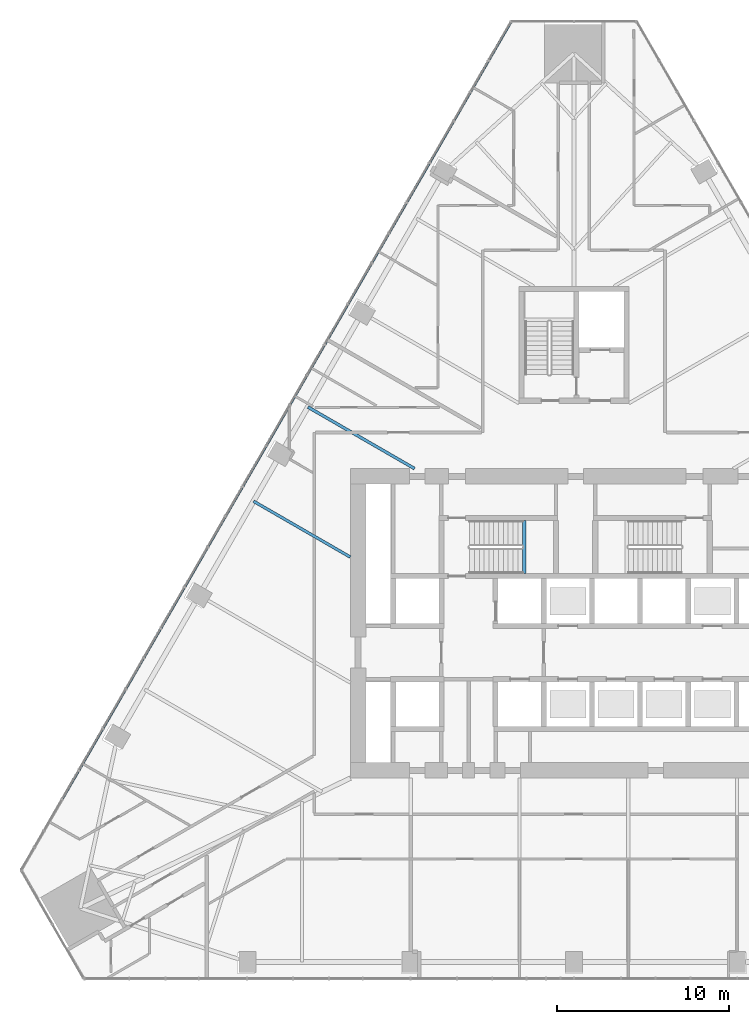
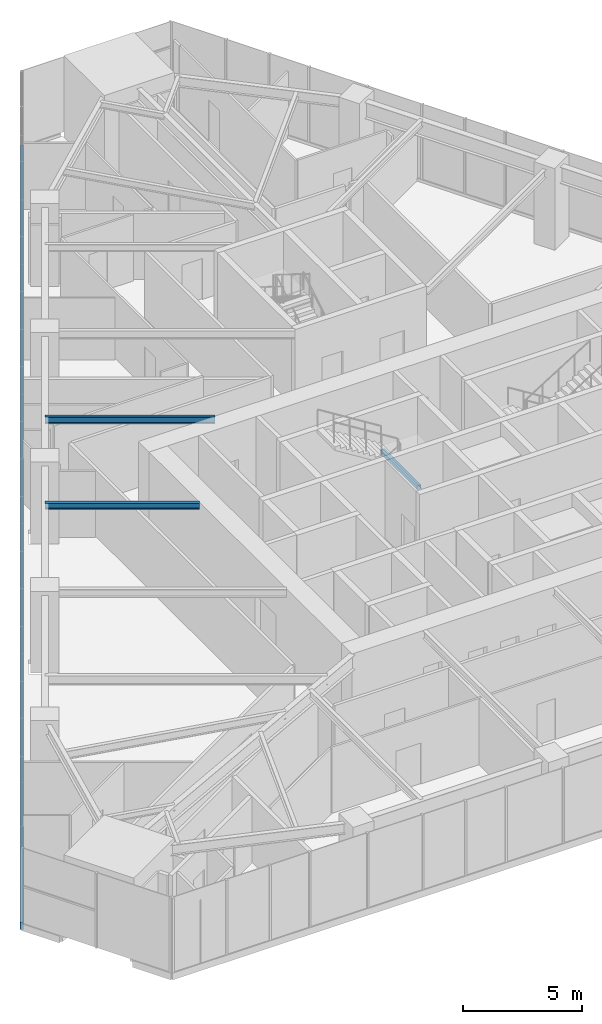
# One storey, part 4 of 21: 3 beams, 1 member, 1 element without a shape of its own.
"""IFC4 building model written with IfcOpenShell, lengths in metres."""

from ifc_helpers import new_model, si_unit, direction, frame, origin, origin_2d, place, context, subcontext, project, spatial, rectangle, i_section, extrude, material, layer, layer_set, material_profile, profile_set, type_object, element, aggregate, save


model = new_model("IFC4")

# Units and contexts
model_context = context("Model", 3, precision=1e-05, world=origin(), true_north=direction((0.0, 1.0)))
body_context = subcontext(model_context, "Body", "Model", "MODEL_VIEW")
ifc_project = project(units=[si_unit("LENGTHUNIT", "METRE"), si_unit("AREAUNIT", "SQUARE_METRE"), si_unit("VOLUMEUNIT", "CUBIC_METRE"), si_unit("PLANEANGLEUNIT", "RADIAN"), si_unit("MASSUNIT", "GRAM", prefix="KILO")], contexts=[model_context])

# Site, building, storey
site_placement = place(None, origin())
site = spatial("IfcSite", under=ifc_project, at=site_placement, CompositionType="ELEMENT")
building_placement = place(site_placement, origin())
building = spatial("IfcBuilding", under=site, at=building_placement, Name="Firuza Gate Tower and Library", CompositionType="ELEMENT")
storey_placement = place(building_placement, frame((0.0, 0.0, 69.39990234375)))
storey = spatial("IfcBuildingStorey", under=building, at=storey_placement, Name="L15", CompositionType="ELEMENT", Elevation=69.39990234375)

# Curtain wall, member
ifc_material_1 = material(Name="Aluminium 6063-T6", Category="aluminium")
ifc_layer = layer(ifc_material_1, 0.14990234375)
ifc_layer_set = layer_set([ifc_layer], Name="Unitised curtain wall, offices")
curtain_wall_type = type_object("IfcCurtainWallType", Name="Unitised curtain wall, offices", PredefinedType="NOTDEFINED", material=ifc_layer_set)
curtain_wall_placement = place(storey_placement, origin())
curtain_wall = element("IfcCurtainWall", 1, at=curtain_wall_placement, inside=storey, type_object=curtain_wall_type, Name="CW1 L15 W face", PredefinedType="NOTDEFINED")
ifc_material_2 = material(Name="Aluminium 6063-T6", Category="aluminium")
ifc_material_profile_1 = material_profile(ifc_material_2, rectangle(XDim=0.14990234375, YDim=0.35009765625, at=origin_2d()))
ifc_profile_set_1 = profile_set([ifc_material_profile_1], Name="Aluminium 6063-T6")
member_type = type_object("IfcMemberType", Name="Curtain wall transom 350x150", PredefinedType="USERDEFINED", material=ifc_profile_set_1)
member_placement = place(storey_placement, frame((71.356689453125, 110.011474609375, -0.02490234375), z_axis=(-0.500000903099, -0.86602488238, 0.0), x_axis=(0.86602488238, -0.500000903099, 0.0)))
member = element("IfcMember", 2, at=member_placement, type_object=member_type, Name="Transom", ObjectType="TRANSOM", PredefinedType="USERDEFINED", context=body_context, shape_type="SweptSolid", body=[
    extrude(rectangle(XDim=0.14990234375, YDim=0.35009765625, at=origin_2d()), origin(), (0.0, 0.0, 1.0), 56.99853515625),
])
aggregate(curtain_wall, [member])

# Beams
ifc_material_3 = material(Name="Concrete C35/45", Category="concrete")
ifc_material_profile_2 = material_profile(ifc_material_3, rectangle(XDim=0.199951171875, YDim=0.199951171875, at=origin_2d()))
ifc_profile_set_2 = profile_set([ifc_material_profile_2], Name="Concrete C35/45")
beam_type_1 = type_object("IfcBeamType", Name="Stair landing bearer 200x200", PredefinedType="BEAM", material=ifc_profile_set_2)
beam_1_placement = place(storey_placement, frame((72.1201171875, 77.89990234375, 1.800048828125), z_axis=(0.0, 1.0, 0.0), x_axis=(-1.0, 0.0, 0.0)))
element("IfcBeam", 3, at=beam_1_placement, inside=storey, type_object=beam_type_1, Name="Landing bearer L15 stair 1", PredefinedType="BEAM", context=body_context, shape_type="SweptSolid", body=[
    extrude(rectangle(XDim=0.199951171875, YDim=0.199951171875, at=origin_2d()), origin(), (0.0, 0.0, 1.0), 3.080078125),
])
ifc_material_4 = material(Name="Steel S355", Category="steel")
ifc_material_profile_3 = material_profile(ifc_material_4, i_section(OverallWidth=0.1650390625, OverallDepth=0.31005859375, WebThickness=0.005859375, FlangeThickness=0.009765625, at=origin_2d()))
ifc_profile_set_3 = profile_set([ifc_material_profile_3], Name="Steel S355")
beam_type_2 = type_object("IfcBeamType", Name="W310x39 Floor beam", PredefinedType="JOIST", material=ifc_profile_set_3)
beam_2_placement = place(storey_placement, frame((56.37060546875, 82.104736328125, 3.84521484375), z_axis=(0.866034226713, -0.499984717929, 0.0), x_axis=(0.499984717929, 0.866034226713, 0.0)))
element("IfcBeam", 4, at=beam_2_placement, inside=storey, type_object=beam_type_2, Name="Floor beam L15 s83", PredefinedType="JOIST", context=body_context, shape_type="SweptSolid", body=[
    extrude(i_section(OverallWidth=0.1650390625, OverallDepth=0.31005859375, WebThickness=0.005859375, FlangeThickness=0.009765625, at=origin_2d()), origin(), (0.0, 0.0, 1.0), 6.500244140625),
])
ifc_material_5 = material(Name="Steel S355", Category="steel")
ifc_material_profile_4 = material_profile(ifc_material_5, i_section(OverallWidth=0.1708984375, OverallDepth=0.35498046875, WebThickness=0.007080078125, FlangeThickness=0.01171875, at=origin_2d()))
ifc_profile_set_4 = profile_set([ifc_material_profile_4], Name="Steel S355")
beam_type_3 = type_object("IfcBeamType", Name="W360x51 Floor beam", PredefinedType="JOIST", material=ifc_profile_set_4)
beam_3_placement = place(storey_placement, frame((59.532470703125, 87.5810546875, 3.822509765625), z_axis=(0.866027779288, -0.499995885484, 0.0), x_axis=(0.499995885484, 0.866027779288, 0.0)))
element("IfcBeam", 5, at=beam_3_placement, inside=storey, type_object=beam_type_3, Name="Floor beam L15 s82", PredefinedType="JOIST", context=body_context, shape_type="SweptSolid", body=[
    extrude(i_section(OverallWidth=0.1708984375, OverallDepth=0.35498046875, WebThickness=0.007080078125, FlangeThickness=0.01171875, at=origin_2d()), origin(), (0.0, 0.0, 1.0), 7.162109375),
])

save(model, "model.ifc")
